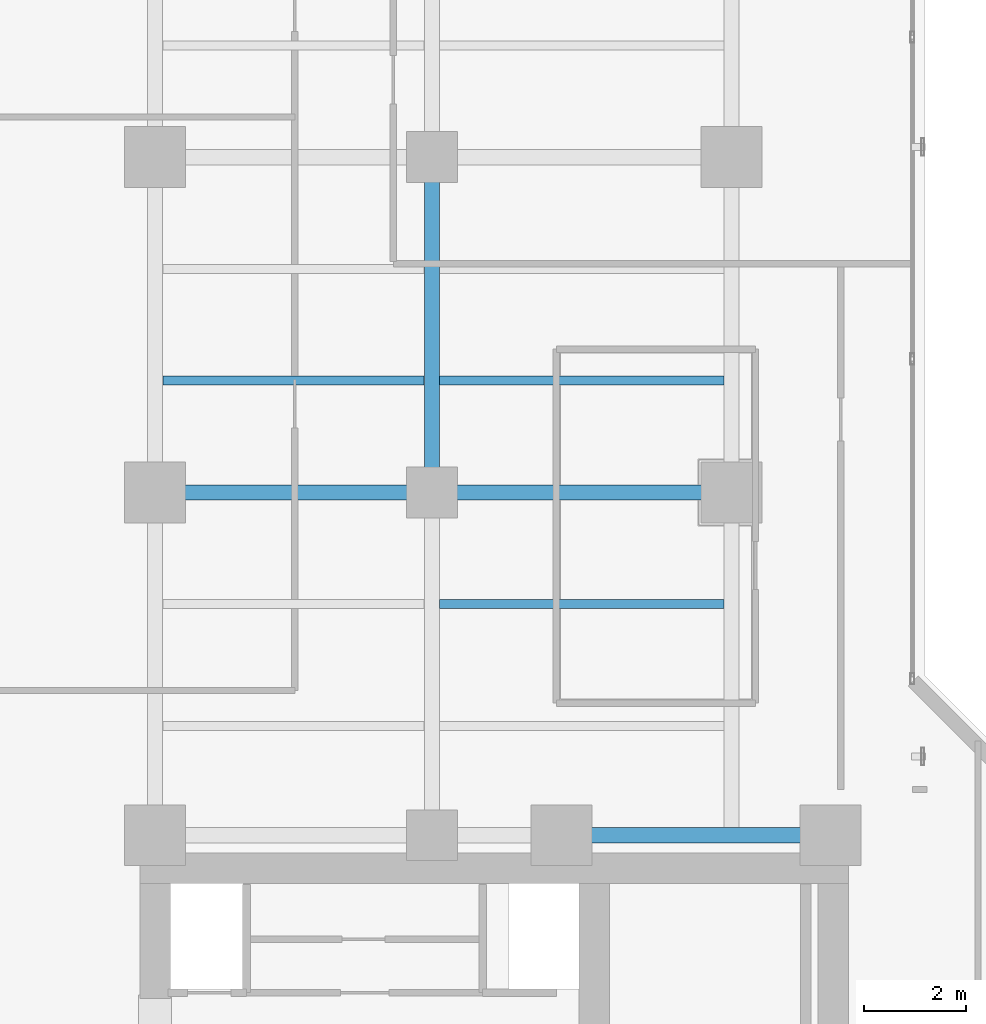
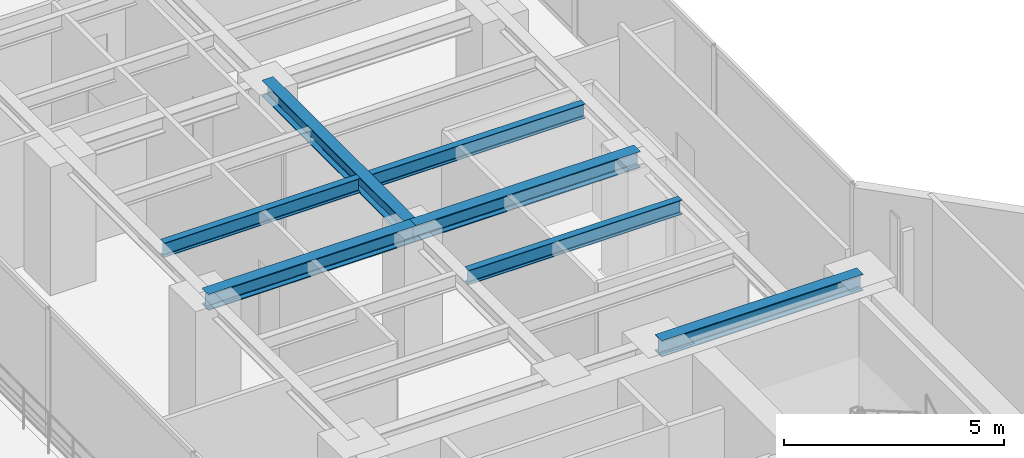
# One storey, part 8 of 28: 7 beams.
"""IFC4 building model written with IfcOpenShell, lengths in metres."""

from ifc_helpers import new_model, si_unit, direction, frame, origin, origin_2d, place, context, subcontext, project, spatial, i_section, extrude, material, material_profile, profile_set, type_object, element, save


model = new_model("IFC4")

# Units and contexts
model_context = context("Model", 3, precision=1e-05, world=origin(), true_north=direction((0.0, 1.0)))
body_context = subcontext(model_context, "Body", "Model", "MODEL_VIEW")
ifc_project = project(units=[si_unit("LENGTHUNIT", "METRE"), si_unit("AREAUNIT", "SQUARE_METRE"), si_unit("VOLUMEUNIT", "CUBIC_METRE"), si_unit("PLANEANGLEUNIT", "RADIAN"), si_unit("MASSUNIT", "GRAM", prefix="KILO")], contexts=[model_context])

# Site, building, storey
site_placement = place(None, origin())
site = spatial("IfcSite", under=ifc_project, at=site_placement, CompositionType="ELEMENT")
building_placement = place(site_placement, origin())
building = spatial("IfcBuilding", under=site, at=building_placement, Name="Kolvaren Waterfront Exchange", CompositionType="ELEMENT")
storey_placement = place(building_placement, frame((0.0, 0.0, 146.199951171875)))
storey = spatial("IfcBuildingStorey", under=building, at=storey_placement, Name="L37", CompositionType="ELEMENT", Elevation=146.199951171875)

# Beams
ifc_material = material(Name="Steel S355", Category="steel")
ifc_material_profile_1 = material_profile(ifc_material, i_section(OverallWidth=0.300048828125, OverallDepth=0.449951171875, WebThickness=0.013916015625, FlangeThickness=0.02587890625, FilletRadius=0.027099609375, at=origin_2d()), Name="HEB450")
ifc_profile_set_1 = profile_set([ifc_material_profile_1], Name="Steel S355")
beam_type_1 = type_object("IfcBeamType", Name="STR-BM-HEB450", PredefinedType="BEAM", material=ifc_profile_set_1)
beam_1_placement = place(storey_placement, frame((15.449951171875, 24.449951171875, 3.3349609375), z_axis=(1.0, 0.0, 0.0), x_axis=(0.0, 1.0, 0.0)))
element("IfcBeam", 1, at=beam_1_placement, inside=storey, type_object=beam_type_1, Name="L37 north-arm girder 1C", PredefinedType="BEAM", context=body_context, shape_type="SweptSolid", body=[
    extrude(i_section(OverallWidth=0.300048828125, OverallDepth=0.449951171875, WebThickness=0.013916015625, FlangeThickness=0.02587890625, FilletRadius=0.027099609375, at=origin_2d()), origin(), (0.0, 0.0, 1.0), 5.300048828125),
])
beam_2_placement = place(storey_placement, frame((7.449951171875, 31.199951171875, 3.3349609375), z_axis=(1.0, 0.0, 0.0), x_axis=(0.0, 1.0, 0.0)))
element("IfcBeam", 2, at=beam_2_placement, inside=storey, type_object=beam_type_1, Name="L37 north-arm girder 2A", PredefinedType="BEAM", context=body_context, shape_type="SweptSolid", body=[
    extrude(i_section(OverallWidth=0.300048828125, OverallDepth=0.449951171875, WebThickness=0.013916015625, FlangeThickness=0.02587890625, FilletRadius=0.027099609375, at=origin_2d()), origin(), (0.0, 0.0, 1.0), 5.449951171875),
])
beam_3_placement = place(storey_placement, frame((12.89990234375, 31.199951171875, 3.3349609375), z_axis=(1.0, 0.0, 0.0), x_axis=(0.0, 1.0, 0.0)))
element("IfcBeam", 3, at=beam_3_placement, inside=storey, type_object=beam_type_1, Name="L37 north-arm girder 2B", PredefinedType="BEAM", context=body_context, shape_type="SweptSolid", body=[
    extrude(i_section(OverallWidth=0.300048828125, OverallDepth=0.449951171875, WebThickness=0.013916015625, FlangeThickness=0.02587890625, FilletRadius=0.027099609375, at=origin_2d()), origin(), (0.0, 0.0, 1.0), 5.900146484375),
])
beam_4_placement = place(storey_placement, frame((12.89990234375, 31.199951171875, 3.3349609375), z_axis=(0.0, 1.0, 0.0), x_axis=(-1.0, 0.0, 0.0)))
element("IfcBeam", 4, at=beam_4_placement, inside=storey, type_object=beam_type_1, Name="L37 north-arm edge beam 2", PredefinedType="BEAM", context=body_context, shape_type="SweptSolid", body=[
    extrude(i_section(OverallWidth=0.300048828125, OverallDepth=0.449951171875, WebThickness=0.013916015625, FlangeThickness=0.02587890625, FilletRadius=0.027099609375, at=origin_2d()), origin(), (0.0, 0.0, 1.0), 6.60009765625),
])
ifc_material_profile_2 = material_profile(ifc_material, i_section(OverallWidth=0.179931640625, OverallDepth=0.39990234375, WebThickness=0.008544921875, FlangeThickness=0.013427734375, FilletRadius=0.02099609375, at=origin_2d()), Name="IPE400")
ifc_profile_set_2 = profile_set([ifc_material_profile_2], Name="Steel S355")
beam_type_2 = type_object("IfcBeamType", Name="STR-BM-IPE400", PredefinedType="JOIST", material=ifc_profile_set_2)
beam_5_placement = place(storey_placement, frame((13.052001953125, 29.0, 3.360107421875), z_axis=(1.0, 0.0, 0.0), x_axis=(0.0, 1.0, 0.0)))
element("IfcBeam", 5, at=beam_5_placement, inside=storey, type_object=beam_type_2, Name="L37 north-arm composite joist 2B", PredefinedType="JOIST", context=body_context, shape_type="SweptSolid", body=[
    extrude(i_section(OverallWidth=0.179931640625, OverallDepth=0.39990234375, WebThickness=0.008544921875, FlangeThickness=0.013427734375, FilletRadius=0.02099609375, at=origin_2d()), origin(), (0.0, 0.0, 1.0), 5.595947265625),
])
beam_6_placement = place(storey_placement, frame((7.60205078125, 33.39990234375, 3.360107421875), z_axis=(1.0, 0.0, 0.0), x_axis=(0.0, 1.0, 0.0)))
element("IfcBeam", 6, at=beam_6_placement, inside=storey, type_object=beam_type_2, Name="L37 north-arm composite joist 3A", PredefinedType="JOIST", context=body_context, shape_type="SweptSolid", body=[
    extrude(i_section(OverallWidth=0.179931640625, OverallDepth=0.39990234375, WebThickness=0.008544921875, FlangeThickness=0.013427734375, FilletRadius=0.02099609375, at=origin_2d()), origin(), (0.0, 0.0, 1.0), 5.14599609375),
])
beam_7_placement = place(storey_placement, frame((13.052001953125, 33.39990234375, 3.360107421875), z_axis=(1.0, 0.0, 0.0), x_axis=(0.0, 1.0, 0.0)))
element("IfcBeam", 7, at=beam_7_placement, inside=storey, type_object=beam_type_2, Name="L37 north-arm composite joist 3B", PredefinedType="JOIST", context=body_context, shape_type="SweptSolid", body=[
    extrude(i_section(OverallWidth=0.179931640625, OverallDepth=0.39990234375, WebThickness=0.008544921875, FlangeThickness=0.013427734375, FilletRadius=0.02099609375, at=origin_2d()), origin(), (0.0, 0.0, 1.0), 5.595947265625),
])

save(model, "model.ifc")
